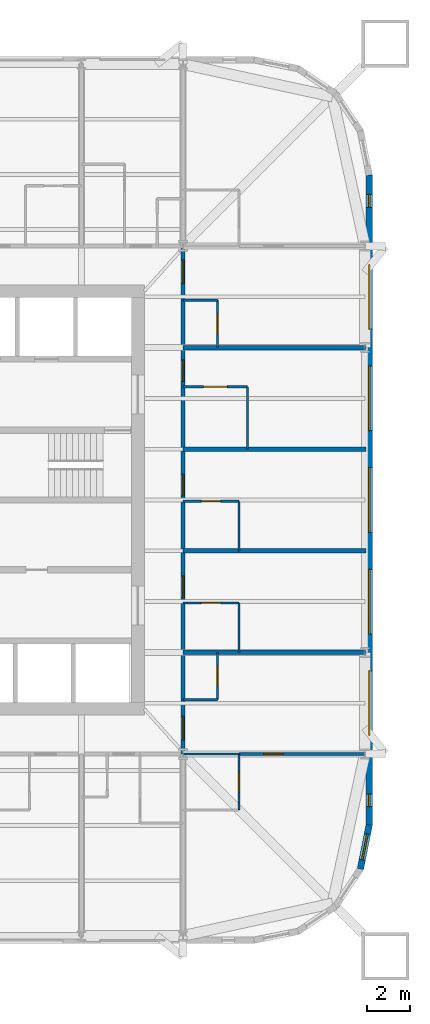
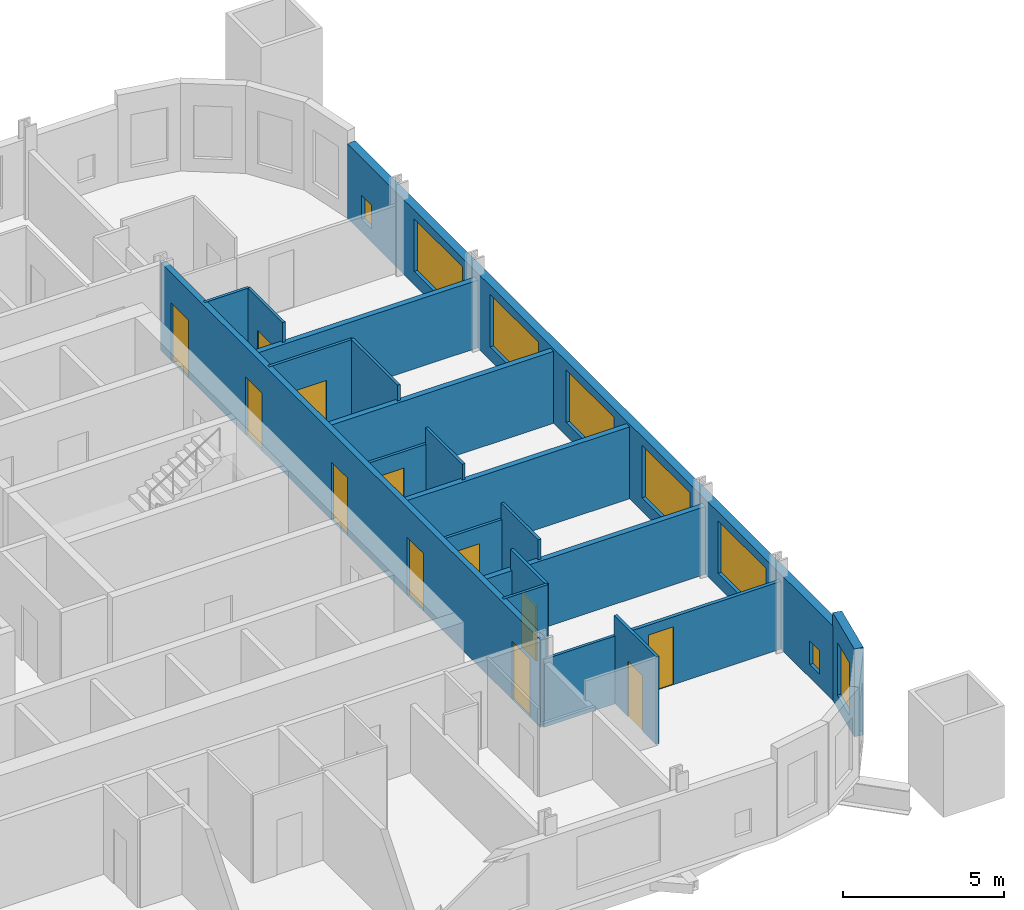
# One storey, part 6 of 9: 20 walls, 12 doors, 8 windows, 20 openings.
"""IFC4 building model written with IfcOpenShell, lengths in metres."""

from ifc_helpers import new_model, si_unit, direction, frame, frame_2d, origin, place, context, subcontext, project, spatial, rectangle, extrude, material, layer, layer_set, type_object, element, fill, save


model = new_model("IFC4")

# Units and contexts
model_context = context("Model", 3, precision=1e-05, world=origin(), true_north=direction((0.0, 1.0)))
body_context = subcontext(model_context, "Body", "Model", "MODEL_VIEW")
ifc_project = project(units=[si_unit("LENGTHUNIT", "METRE"), si_unit("AREAUNIT", "SQUARE_METRE"), si_unit("VOLUMEUNIT", "CUBIC_METRE"), si_unit("PLANEANGLEUNIT", "RADIAN"), si_unit("MASSUNIT", "GRAM", prefix="KILO")], contexts=[model_context])

# Site, building, storey
site_placement = place(None, origin())
site = spatial("IfcSite", under=ifc_project, at=site_placement, CompositionType="ELEMENT")
building_placement = place(site_placement, origin())
building = spatial("IfcBuilding", under=site, at=building_placement, Name="Turquesa Mirador Hotel Tower", CompositionType="ELEMENT")
storey_placement = place(building_placement, frame((0.0, 0.0, 142.39990234375)))
storey = spatial("IfcBuildingStorey", under=building, at=storey_placement, Name="L38", CompositionType="ELEMENT", Elevation=142.39990234375)

# Wall, opening, door
ifc_material_1 = material(Name="Gypsum board on steel studs", Category="steel")
ifc_layer_1 = layer(ifc_material_1, 0.10009765625)
ifc_layer_set_1 = layer_set([ifc_layer_1], Name="BATHROOM WALL 100")
wall_type_1 = type_object("IfcWallType", Name="BATHROOM WALL 100", PredefinedType="PARTITIONING", material=ifc_layer_set_1)
wall_1_placement = place(storey_placement, frame((66.800048828125, 44.93994140625, 0.0), z_axis=(0.0, 0.0, 1.0), x_axis=(1.0, 0.0, 0.0)))
wall_1 = element("IfcWall", 1, at=wall_1_placement, inside=storey, type_object=wall_type_1, Name="Partition L38 001", PredefinedType="PARTITIONING", context=body_context, shape_type="SweptSolid", body=[
    extrude(rectangle(XDim=2.599853515625, YDim=0.10009765625, at=frame_2d((1.2998046875, 0.0))), origin(), (0.0, 0.0, 1.0), 2.730712890625),
])
opening_1_placement = place(wall_1_placement, frame((0.85009765625, 0.0, 0.0)))
opening_1 = element("IfcOpeningElement", 2, at=opening_1_placement, cuts=wall_1, Name="Opening D02", PredefinedType="OPENING", context=body_context, shape_type="SweptSolid", body=[
    extrude(rectangle(XDim=0.89990234375, YDim=2.10009765625, at=frame_2d((0.449951171875, 1.050048828125))), frame((0.0, 0.06005859375, 0.0), z_axis=(0.0, -1.0, 0.0), x_axis=(1.0, 0.0, 0.0)), (0.0, 0.0, 1.0), 0.1201171875),
])
ifc_material_2 = material(Name="Timber veneered door", Category="wood")
door_type_1 = type_object("IfcDoorType", Name="DOOR 900X2100 EN-SUITE", OperationType="SINGLE_SWING_RIGHT", PredefinedType="DOOR", material=ifc_material_2)
door_1_placement = place(opening_1_placement, origin())
door_1 = element("IfcDoor", 3, at=door_1_placement, inside=storey, type_object=door_type_1, Name="Door 3809B", OperationType="SINGLE_SWING_RIGHT", OverallHeight=2.10009765625, OverallWidth=0.89990234375, PredefinedType="DOOR", context=body_context, shape_type="SweptSolid", body=[
    extrude(rectangle(XDim=0.89990234375, YDim=2.10009765625, at=frame_2d((0.449951171875, 1.050048828125))), frame((0.0, 0.02490234375, 0.0), z_axis=(0.0, -1.0, 0.0), x_axis=(1.0, 0.0, 0.0)), (0.0, 0.0, 1.0), 0.050048828125),
])
fill(opening_1, door_1)

# Wall
wall_2_placement = place(storey_placement, frame((66.800048828125, 33.199951171875, 0.0), z_axis=(0.0, 0.0, 1.0), x_axis=(1.0, 0.0, 0.0)))
element("IfcWall", 4, at=wall_2_placement, inside=storey, type_object=wall_type_1, Name="Partition L38 004", PredefinedType="PARTITIONING", context=body_context, shape_type="SweptSolid", body=[
    extrude(rectangle(XDim=2.599853515625, YDim=0.10009765625, at=frame_2d((1.2998046875, 0.0))), origin(), (0.0, 0.0, 1.0), 2.5732421875),
])

# Wall, opening, door
wall_3_placement = place(storey_placement, frame((66.800048828125, 40.219970703125, 0.0), z_axis=(0.0, 0.0, 1.0), x_axis=(1.0, 0.0, 0.0)))
wall_3 = element("IfcWall", 5, at=wall_3_placement, inside=storey, type_object=wall_type_1, Name="Partition L38 019", PredefinedType="PARTITIONING", context=body_context, shape_type="SweptSolid", body=[
    extrude(rectangle(XDim=2.599853515625, YDim=0.10009765625, at=frame_2d((1.2998046875, 0.0))), origin(), (0.0, 0.0, 1.0), 2.730712890625),
])
opening_2_placement = place(wall_3_placement, frame((0.85009765625, 0.0, 0.0)))
opening_2 = element("IfcOpeningElement", 6, at=opening_2_placement, cuts=wall_3, Name="Opening D02", PredefinedType="OPENING", context=body_context, shape_type="SweptSolid", body=[
    extrude(rectangle(XDim=0.89990234375, YDim=2.10009765625, at=frame_2d((0.449951171875, 1.050048828125))), frame((0.0, 0.06005859375, 0.0), z_axis=(0.0, -1.0, 0.0), x_axis=(1.0, 0.0, 0.0)), (0.0, 0.0, 1.0), 0.1201171875),
])
door_2_placement = place(opening_2_placement, origin())
door_2 = element("IfcDoor", 7, at=door_2_placement, inside=storey, type_object=door_type_1, Name="Door 3808B", OperationType="SINGLE_SWING_RIGHT", OverallHeight=2.10009765625, OverallWidth=0.89990234375, PredefinedType="DOOR", context=body_context, shape_type="SweptSolid", body=[
    extrude(rectangle(XDim=0.89990234375, YDim=2.10009765625, at=frame_2d((0.449951171875, 1.050048828125))), frame((0.0, 0.02490234375, 0.0), z_axis=(0.0, -1.0, 0.0), x_axis=(1.0, 0.0, 0.0)), (0.0, 0.0, 1.0), 0.050048828125),
])
fill(opening_2, door_2)

# Wall
wall_4_placement = place(storey_placement, frame((66.800048828125, 35.719970703125, 0.0), z_axis=(0.0, 0.0, 1.0), x_axis=(1.0, 0.0, 0.0)))
element("IfcWall", 8, at=wall_4_placement, inside=storey, type_object=wall_type_1, Name="Partition L38 024", PredefinedType="PARTITIONING", context=body_context, shape_type="SweptSolid", body=[
    extrude(rectangle(XDim=1.599853515625, YDim=0.10009765625, at=frame_2d((0.7998046875, 0.0))), origin(), (0.0, 0.0, 1.0), 3.330078125),
])

# Wall, opening, door
wall_5_placement = place(storey_placement, frame((66.800048828125, 50.260009765625, 0.0), z_axis=(0.0, 0.0, 1.0), x_axis=(1.0, 0.0, 0.0)))
wall_5 = element("IfcWall", 9, at=wall_5_placement, inside=storey, type_object=wall_type_1, Name="Partition L38 043", PredefinedType="PARTITIONING", context=body_context, shape_type="SweptSolid", body=[
    extrude(rectangle(XDim=3.0, YDim=0.10009765625, at=frame_2d((1.5, 0.0))), origin(), (0.0, 0.0, 1.0), 3.330078125),
])
opening_3_placement = place(wall_5_placement, frame((0.949951171875, 0.0, 0.0)))
opening_3 = element("IfcOpeningElement", 10, at=opening_3_placement, cuts=wall_5, Name="Opening D16", PredefinedType="OPENING", context=body_context, shape_type="SweptSolid", body=[
    extrude(rectangle(XDim=1.10009765625, YDim=2.10009765625, at=frame_2d((0.550048828125, 1.050048828125))), frame((0.0, 0.06005859375, 0.0), z_axis=(0.0, -1.0, 0.0), x_axis=(1.0, 0.0, 0.0)), (0.0, 0.0, 1.0), 0.1201171875),
])
ifc_material_3 = material(Name="Timber veneered sliding door", Category="wood")
door_type_2 = type_object("IfcDoorType", Name="DOOR 1100X2100 ACCESSIBLE EN-SUITE", OperationType="SLIDING_TO_LEFT", PredefinedType="DOOR", material=ifc_material_3)
door_3_placement = place(opening_3_placement, origin())
door_3 = element("IfcDoor", 11, at=door_3_placement, inside=storey, type_object=door_type_2, Name="Door 3810B", OperationType="SLIDING_TO_LEFT", OverallHeight=2.10009765625, OverallWidth=1.10009765625, PredefinedType="DOOR", context=body_context, shape_type="SweptSolid", body=[
    extrude(rectangle(XDim=1.10009765625, YDim=2.10009765625, at=frame_2d((0.550048828125, 1.050048828125))), frame((0.0, 0.02490234375, 0.0), z_axis=(0.0, -1.0, 0.0), x_axis=(1.0, 0.0, 0.0)), (0.0, 0.0, 1.0), 0.050048828125),
])
fill(opening_3, door_3)

# Wall
wall_6_placement = place(storey_placement, frame((66.800048828125, 54.280029296875, 0.0), z_axis=(0.0, 0.0, 1.0), x_axis=(1.0, 0.0, 0.0)))
element("IfcWall", 12, at=wall_6_placement, inside=storey, type_object=wall_type_1, Name="Partition L38 047", PredefinedType="PARTITIONING", context=body_context, shape_type="SweptSolid", body=[
    extrude(rectangle(XDim=1.599853515625, YDim=0.10009765625, at=frame_2d((0.7998046875, 0.0))), origin(), (0.0, 0.0, 1.0), 3.330078125),
])

# Wall, opening, door
wall_7_placement = place(storey_placement, frame((68.39990234375, 35.719970703125, 0.0), z_axis=(0.0, 0.0, 1.0), x_axis=(0.0, 1.0, 0.0)))
wall_7 = element("IfcWall", 13, at=wall_7_placement, inside=storey, type_object=wall_type_1, Name="Partition L38 072", PredefinedType="PARTITIONING", context=body_context, shape_type="SweptSolid", body=[
    extrude(rectangle(XDim=2.199951171875, YDim=0.10009765625, at=frame_2d((1.10009765625, 0.0))), origin(), (0.0, 0.0, 1.0), 3.330078125),
])
opening_4_placement = place(wall_7_placement, frame((0.64990234375, 0.0, 0.0)))
opening_4 = element("IfcOpeningElement", 14, at=opening_4_placement, cuts=wall_7, Name="Opening D06", PredefinedType="OPENING", context=body_context, shape_type="SweptSolid", body=[
    extrude(rectangle(XDim=0.89990234375, YDim=2.10009765625, at=frame_2d((0.449951171875, 1.050048828125))), frame((0.0, 0.06005859375, 0.0), z_axis=(0.0, -1.0, 0.0), x_axis=(1.0, 0.0, 0.0)), (0.0, 0.0, 1.0), 0.1201171875),
])
ifc_material_4 = material(Name="Laminate door", Category="wood")
door_type_3 = type_object("IfcDoorType", Name="DOOR 900X2100 WC", OperationType="SINGLE_SWING_LEFT", PredefinedType="DOOR", material=ifc_material_4)
door_4_placement = place(opening_4_placement, origin())
door_4 = element("IfcDoor", 15, at=door_4_placement, inside=storey, type_object=door_type_3, Name="Door 3817W", OperationType="SINGLE_SWING_LEFT", OverallHeight=2.10009765625, OverallWidth=0.89990234375, PredefinedType="DOOR", context=body_context, shape_type="SweptSolid", body=[
    extrude(rectangle(XDim=0.89990234375, YDim=2.10009765625, at=frame_2d((0.449951171875, 1.050048828125))), frame((0.0, 0.02490234375, 0.0), z_axis=(0.0, -1.0, 0.0), x_axis=(1.0, 0.0, 0.0)), (0.0, 0.0, 1.0), 0.050048828125),
])
fill(opening_4, door_4)

wall_8_placement = place(storey_placement, frame((68.39990234375, 52.080078125, 0.0), z_axis=(0.0, 0.0, 1.0), x_axis=(0.0, 1.0, 0.0)))
wall_8 = element("IfcWall", 16, at=wall_8_placement, inside=storey, type_object=wall_type_1, Name="Partition L38 073", PredefinedType="PARTITIONING", context=body_context, shape_type="SweptSolid", body=[
    extrude(rectangle(XDim=2.199951171875, YDim=0.10009765625, at=frame_2d((1.10009765625, 0.0))), origin(), (0.0, 0.0, 1.0), 3.330078125),
])
opening_5_placement = place(wall_8_placement, frame((0.64990234375, 0.0, 0.0)))
opening_5 = element("IfcOpeningElement", 17, at=opening_5_placement, cuts=wall_8, Name="Opening D06", PredefinedType="OPENING", context=body_context, shape_type="SweptSolid", body=[
    extrude(rectangle(XDim=0.89990234375, YDim=2.10009765625, at=frame_2d((0.449951171875, 1.050048828125))), frame((0.0, 0.06005859375, 0.0), z_axis=(0.0, -1.0, 0.0), x_axis=(1.0, 0.0, 0.0)), (0.0, 0.0, 1.0), 0.1201171875),
])
door_5_placement = place(opening_5_placement, origin())
door_5 = element("IfcDoor", 18, at=door_5_placement, inside=storey, type_object=door_type_3, Name="Door 3814W", OperationType="SINGLE_SWING_LEFT", OverallHeight=2.10009765625, OverallWidth=0.89990234375, PredefinedType="DOOR", context=body_context, shape_type="SweptSolid", body=[
    extrude(rectangle(XDim=0.89990234375, YDim=2.10009765625, at=frame_2d((0.449951171875, 1.050048828125))), frame((0.0, 0.02490234375, 0.0), z_axis=(0.0, -1.0, 0.0), x_axis=(1.0, 0.0, 0.0)), (0.0, 0.0, 1.0), 0.050048828125),
])
fill(opening_5, door_5)

wall_9_placement = place(storey_placement, frame((69.39990234375, 30.60009765625, 0.0), z_axis=(0.0, 0.0, 1.0), x_axis=(0.0, 1.0, 0.0)))
wall_9 = element("IfcWall", 19, at=wall_9_placement, inside=storey, type_object=wall_type_1, Name="Partition L38 074", PredefinedType="PARTITIONING", context=body_context, shape_type="SweptSolid", body=[
    extrude(rectangle(XDim=2.599853515625, YDim=0.10009765625, at=frame_2d((1.2998046875, 0.0))), origin(), (0.0, 0.0, 1.0), 3.330078125),
])
opening_6_placement = place(wall_9_placement, frame((0.85009765625, 0.0, 0.0)))
opening_6 = element("IfcOpeningElement", 20, at=opening_6_placement, cuts=wall_9, Name="Opening D02", PredefinedType="OPENING", context=body_context, shape_type="SweptSolid", body=[
    extrude(rectangle(XDim=0.89990234375, YDim=2.10009765625, at=frame_2d((0.449951171875, 1.050048828125))), frame((0.0, 0.06005859375, 0.0), z_axis=(0.0, -1.0, 0.0), x_axis=(1.0, 0.0, 0.0)), (0.0, 0.0, 1.0), 0.1201171875),
])
door_6_placement = place(opening_6_placement, origin())
door_6 = element("IfcDoor", 21, at=door_6_placement, inside=storey, type_object=door_type_1, Name="Door 3817B", OperationType="SINGLE_SWING_RIGHT", OverallHeight=2.10009765625, OverallWidth=0.89990234375, PredefinedType="DOOR", context=body_context, shape_type="SweptSolid", body=[
    extrude(rectangle(XDim=0.89990234375, YDim=2.10009765625, at=frame_2d((0.449951171875, 1.050048828125))), frame((0.0, 0.02490234375, 0.0), z_axis=(0.0, -1.0, 0.0), x_axis=(1.0, 0.0, 0.0)), (0.0, 0.0, 1.0), 0.050048828125),
])
fill(opening_6, door_6)

# Walls
for number, where, z_axis, x_axis, name in (
    (22, (69.39990234375, 37.919921875, 0.0), (0.0, 0.0, 1.0), (0.0, 1.0, 0.0), "Partition L38 075"),
    (23, (69.39990234375, 42.639892578125, 0.0), (0.0, 0.0, 1.0), (0.0, 1.0, 0.0), "Partition L38 076"),
):
    element("IfcWall", number, at=place(storey_placement, frame(where, z_axis=z_axis, x_axis=x_axis)), inside=storey, type_object=wall_type_1, Name=name, PredefinedType="PARTITIONING", context=body_context, shape_type="SweptSolid", body=[
        extrude(rectangle(XDim=2.300048828125, YDim=0.10009765625, at=frame_2d((1.14990234375, 0.0))), origin(), (0.0, 0.0, 1.0), 3.330078125),
    ])
wall_10_placement = place(storey_placement, frame((69.800048828125, 47.360107421875, 0.0), z_axis=(0.0, 0.0, 1.0), x_axis=(0.0, 1.0, 0.0)))
element("IfcWall", 24, at=wall_10_placement, inside=storey, type_object=wall_type_1, Name="Partition L38 078", PredefinedType="PARTITIONING", context=body_context, shape_type="SweptSolid", body=[
    extrude(rectangle(XDim=2.89990234375, YDim=0.10009765625, at=frame_2d((1.449951171875, 0.0))), origin(), (0.0, 0.0, 1.0), 3.330078125),
])

# Wall, openings, doors
ifc_material_5 = material(Name="Fire-rated gypsum board on steel studs", Category="steel")
ifc_layer_2 = layer(ifc_material_5, 0.199951171875)
ifc_layer_set_2 = layer_set([ifc_layer_2], Name="CORRIDOR WALL 200")
wall_type_2 = type_object("IfcWallType", Name="CORRIDOR WALL 200", PredefinedType="PARTITIONING", material=ifc_layer_set_2)
wall_11_placement = place(storey_placement, frame((66.800048828125, 33.199951171875, 0.0), z_axis=(0.0, 0.0, 1.0), x_axis=(0.0, 1.0, 0.0)))
wall_11 = element("IfcWall", 25, at=wall_11_placement, inside=storey, type_object=wall_type_2, Name="Partition L38 069", PredefinedType="PARTITIONING", context=body_context, shape_type="SweptSolid", body=[
    extrude(rectangle(XDim=23.60009765625, YDim=0.199951171875, at=frame_2d((11.800048828125, 0.0))), origin(), (0.0, 0.0, 1.0), 3.330078125),
])
opening_7_placement = place(wall_11_placement, frame((7.27001953125, 0.0, 0.0)))
opening_7 = element("IfcOpeningElement", 26, at=opening_7_placement, cuts=wall_11, Name="Opening D01", PredefinedType="OPENING", context=body_context, shape_type="SweptSolid", body=[
    extrude(rectangle(XDim=1.0, YDim=2.199951171875, at=frame_2d((0.5, 1.10009765625))), frame((0.0, 0.10986328125, 0.0), z_axis=(0.0, -1.0, 0.0), x_axis=(1.0, 0.0, 0.0)), (0.0, 0.0, 1.0), 0.219970703125),
])
opening_8_placement = place(wall_11_placement, frame((11.989990234375, 0.0, 0.0)))
opening_8 = element("IfcOpeningElement", 27, at=opening_8_placement, cuts=wall_11, Name="Opening D01", PredefinedType="OPENING", context=body_context, shape_type="SweptSolid", body=[
    extrude(rectangle(XDim=1.0, YDim=2.199951171875, at=frame_2d((0.5, 1.10009765625))), frame((0.0, 0.10986328125, 0.0), z_axis=(0.0, -1.0, 0.0), x_axis=(1.0, 0.0, 0.0)), (0.0, 0.0, 1.0), 0.219970703125),
])
opening_9_placement = place(wall_11_placement, frame((17.31005859375, 0.0, 0.0)))
opening_9 = element("IfcOpeningElement", 28, at=opening_9_placement, cuts=wall_11, Name="Opening D01", PredefinedType="OPENING", context=body_context, shape_type="SweptSolid", body=[
    extrude(rectangle(XDim=1.0, YDim=2.199951171875, at=frame_2d((0.5, 1.10009765625))), frame((0.0, 0.10986328125, 0.0), z_axis=(0.0, -1.0, 0.0), x_axis=(1.0, 0.0, 0.0)), (0.0, 0.0, 1.0), 0.219970703125),
])
opening_10_placement = place(wall_11_placement, frame((21.85009765625, 0.0, 0.0)))
opening_10 = element("IfcOpeningElement", 29, at=opening_10_placement, cuts=wall_11, Name="Opening D15", PredefinedType="OPENING", context=body_context, shape_type="SweptSolid", body=[
    extrude(rectangle(XDim=1.10009765625, YDim=2.199951171875, at=frame_2d((0.550048828125, 1.10009765625))), frame((0.0, 0.10986328125, 0.0), z_axis=(0.0, -1.0, 0.0), x_axis=(1.0, 0.0, 0.0)), (0.0, 0.0, 1.0), 0.219970703125),
])
opening_11_placement = place(wall_11_placement, frame((0.64990234375, 0.0, 0.0)))
opening_11 = element("IfcOpeningElement", 30, at=opening_11_placement, cuts=wall_11, Name="Opening D15", PredefinedType="OPENING", context=body_context, shape_type="SweptSolid", body=[
    extrude(rectangle(XDim=1.10009765625, YDim=2.199951171875, at=frame_2d((0.550048828125, 1.10009765625))), frame((0.0, 0.10986328125, 0.0), z_axis=(0.0, -1.0, 0.0), x_axis=(1.0, 0.0, 0.0)), (0.0, 0.0, 1.0), 0.219970703125),
])
ifc_material_6 = material(Name="Timber veneered fire door", Category="wood")
door_type_4 = type_object("IfcDoorType", Name="DOOR 1000X2200 GUEST ENTRY", OperationType="SINGLE_SWING_LEFT", PredefinedType="DOOR", material=ifc_material_6)
door_7_placement = place(opening_7_placement, origin())
door_7 = element("IfcDoor", 31, at=door_7_placement, inside=storey, type_object=door_type_4, Name="Door 3808", OperationType="SINGLE_SWING_LEFT", OverallHeight=2.199951171875, OverallWidth=1.0, PredefinedType="DOOR", context=body_context, shape_type="SweptSolid", body=[
    extrude(rectangle(XDim=1.0, YDim=2.199951171875, at=frame_2d((0.5, 1.10009765625))), frame((0.0, 0.02490234375, 0.0), z_axis=(0.0, -1.0, 0.0), x_axis=(1.0, 0.0, 0.0)), (0.0, 0.0, 1.0), 0.050048828125),
])
fill(opening_7, door_7)
door_8_placement = place(opening_8_placement, origin())
door_8 = element("IfcDoor", 32, at=door_8_placement, inside=storey, type_object=door_type_4, Name="Door 3809", OperationType="SINGLE_SWING_LEFT", OverallHeight=2.199951171875, OverallWidth=1.0, PredefinedType="DOOR", context=body_context, shape_type="SweptSolid", body=[
    extrude(rectangle(XDim=1.0, YDim=2.199951171875, at=frame_2d((0.5, 1.10009765625))), frame((0.0, 0.02490234375, 0.0), z_axis=(0.0, -1.0, 0.0), x_axis=(1.0, 0.0, 0.0)), (0.0, 0.0, 1.0), 0.050048828125),
])
fill(opening_8, door_8)
door_9_placement = place(opening_9_placement, origin())
door_9 = element("IfcDoor", 33, at=door_9_placement, inside=storey, type_object=door_type_4, Name="Door 3810", OperationType="SINGLE_SWING_LEFT", OverallHeight=2.199951171875, OverallWidth=1.0, PredefinedType="DOOR", context=body_context, shape_type="SweptSolid", body=[
    extrude(rectangle(XDim=1.0, YDim=2.199951171875, at=frame_2d((0.5, 1.10009765625))), frame((0.0, 0.02490234375, 0.0), z_axis=(0.0, -1.0, 0.0), x_axis=(1.0, 0.0, 0.0)), (0.0, 0.0, 1.0), 0.050048828125),
])
fill(opening_9, door_9)
ifc_material_7 = material(Name="Timber veneered fire door", Category="wood")
door_type_5 = type_object("IfcDoorType", Name="DOOR 1100X2200 SUITE ENTRY", OperationType="SINGLE_SWING_LEFT", PredefinedType="DOOR", material=ifc_material_7)
door_10_placement = place(opening_10_placement, origin())
door_10 = element("IfcDoor", 34, at=door_10_placement, inside=storey, type_object=door_type_5, Name="Door 3814", OperationType="SINGLE_SWING_LEFT", OverallHeight=2.199951171875, OverallWidth=1.10009765625, PredefinedType="DOOR", context=body_context, shape_type="SweptSolid", body=[
    extrude(rectangle(XDim=1.10009765625, YDim=2.199951171875, at=frame_2d((0.550048828125, 1.10009765625))), frame((0.0, 0.02490234375, 0.0), z_axis=(0.0, -1.0, 0.0), x_axis=(1.0, 0.0, 0.0)), (0.0, 0.0, 1.0), 0.050048828125),
])
fill(opening_10, door_10)
door_11_placement = place(opening_11_placement, origin())
door_11 = element("IfcDoor", 35, at=door_11_placement, inside=storey, type_object=door_type_5, Name="Door 3817", OperationType="SINGLE_SWING_LEFT", OverallHeight=2.199951171875, OverallWidth=1.10009765625, PredefinedType="DOOR", context=body_context, shape_type="SweptSolid", body=[
    extrude(rectangle(XDim=1.10009765625, YDim=2.199951171875, at=frame_2d((0.550048828125, 1.10009765625))), frame((0.0, 0.02490234375, 0.0), z_axis=(0.0, -1.0, 0.0), x_axis=(1.0, 0.0, 0.0)), (0.0, 0.0, 1.0), 0.050048828125),
])
fill(opening_11, door_11)

# Wall, opening, window
ifc_material_8 = material(Name="Limestone cladding on concrete block", Category="masonry")
ifc_layer_3 = layer(ifc_material_8, 0.300048828125)
ifc_layer_set_3 = layer_set([ifc_layer_3], Name="FACADE WALL 300 STONE SCREEN")
wall_type_3 = type_object("IfcWallType", Name="FACADE WALL 300 STONE SCREEN", PredefinedType="SOLIDWALL", material=ifc_layer_set_3)
wall_12_placement = place(storey_placement, frame((75.042724609375, 27.8525390625, 0.0), z_axis=(0.0, 0.0, 1.0), x_axis=(0.195081421501, 0.980787050784, 0.0)))
wall_12 = element("IfcWall", 36, at=wall_12_placement, inside=storey, type_object=wall_type_3, Name="Facade wall L38 03", PredefinedType="SOLIDWALL", context=body_context, shape_type="SweptSolid", body=[
    extrude(rectangle(XDim=2.08740234375, YDim=0.300048828125, at=frame_2d((1.043701171875, 0.0))), origin(), (0.0, 0.0, 1.0), 3.330078125),
])
opening_12_placement = place(wall_12_placement, frame((0.443603515625, 0.0, 0.5)))
opening_12 = element("IfcOpeningElement", 37, at=opening_12_placement, cuts=wall_12, Name="Opening WN4", PredefinedType="OPENING", context=body_context, shape_type="SweptSolid", body=[
    extrude(rectangle(XDim=1.199951171875, YDim=2.0, at=frame_2d((0.60009765625, 1.0))), frame((0.0, 0.159912109375, 0.0), z_axis=(0.0, -1.0, 0.0), x_axis=(1.0, 0.0, 0.0)), (0.0, 0.0, 1.0), 0.320068359375),
])
ifc_material_9 = material(Name="Ceramic-fritted laminated glass", Category="glass")
window_type_1 = type_object("IfcWindowType", Name="FRITTED CORNER WINDOW 1200X2000", PartitioningType="DOUBLE_PANEL_HORIZONTAL", PredefinedType="WINDOW", material=ifc_material_9)
window_1_placement = place(opening_12_placement, origin())
window_1 = element("IfcWindow", 38, at=window_1_placement, inside=storey, type_object=window_type_1, Name="Window L38", OverallHeight=2.0, OverallWidth=1.199951171875, PartitioningType="SINGLE_PANEL", PredefinedType="WINDOW", context=body_context, shape_type="SweptSolid", body=[
    extrude(rectangle(XDim=1.199951171875, YDim=2.0, at=frame_2d((0.60009765625, 1.0))), frame((0.0, 0.030029296875, 0.0), z_axis=(0.0, -1.0, 0.0), x_axis=(1.0, 0.0, 0.0)), (0.0, 0.0, 1.0), 0.06005859375),
])
fill(opening_12, window_1)

# Wall, openings, windows
wall_13_placement = place(storey_placement, frame((75.449951171875, 29.89990234375, 0.0), z_axis=(0.0, 0.0, 1.0), x_axis=(0.0, 1.0, 0.0)))
wall_13 = element("IfcWall", 39, at=wall_13_placement, inside=storey, type_object=wall_type_3, Name="Facade wall L38 04", PredefinedType="SOLIDWALL", context=body_context, shape_type="SweptSolid", body=[
    extrude(rectangle(XDim=30.2001953125, YDim=0.300048828125, at=frame_2d((15.10009765625, 0.0))), origin(), (0.0, 0.0, 1.0), 2.830078125),
])
opening_13_placement = place(wall_13_placement, frame((0.85009765625, 0.0, 0.5)))
opening_13 = element("IfcOpeningElement", 40, at=opening_13_placement, cuts=wall_13, Name="Opening WN25", PredefinedType="OPENING", context=body_context, shape_type="SweptSolid", body=[
    extrude(rectangle(XDim=0.60009765625, YDim=0.89990234375, at=frame_2d((0.300048828125, 0.449951171875))), frame((0.0, 0.159912109375, 0.0), z_axis=(0.0, -1.0, 0.0), x_axis=(1.0, 0.0, 0.0)), (0.0, 0.0, 1.0), 0.320068359375),
])
opening_14_placement = place(wall_13_placement, frame((4.159912109375, 0.0, 0.5)))
opening_14 = element("IfcOpeningElement", 41, at=opening_14_placement, cuts=wall_13, Name="Opening WN1", PredefinedType="OPENING", context=body_context, shape_type="SweptSolid", body=[
    extrude(rectangle(XDim=3.0, YDim=2.0, at=frame_2d((1.5, 1.0))), frame((0.0, 0.159912109375, 0.0), z_axis=(0.0, -1.0, 0.0), x_axis=(1.0, 0.0, 0.0)), (0.0, 0.0, 1.0), 0.320068359375),
])
opening_15_placement = place(wall_13_placement, frame((8.8798828125, 0.0, 0.5)))
opening_15 = element("IfcOpeningElement", 42, at=opening_15_placement, cuts=wall_13, Name="Opening WN1", PredefinedType="OPENING", context=body_context, shape_type="SweptSolid", body=[
    extrude(rectangle(XDim=3.0, YDim=2.0, at=frame_2d((1.5, 1.0))), frame((0.0, 0.159912109375, 0.0), z_axis=(0.0, -1.0, 0.0), x_axis=(1.0, 0.0, 0.0)), (0.0, 0.0, 1.0), 0.320068359375),
])
opening_16_placement = place(wall_13_placement, frame((13.60009765625, 0.0, 0.5)))
opening_16 = element("IfcOpeningElement", 43, at=opening_16_placement, cuts=wall_13, Name="Opening WN1", PredefinedType="OPENING", context=body_context, shape_type="SweptSolid", body=[
    extrude(rectangle(XDim=3.0, YDim=2.0, at=frame_2d((1.5, 1.0))), frame((0.0, 0.159912109375, 0.0), z_axis=(0.0, -1.0, 0.0), x_axis=(1.0, 0.0, 0.0)), (0.0, 0.0, 1.0), 0.320068359375),
])
opening_17_placement = place(wall_13_placement, frame((18.320068359375, 0.0, 0.5)))
opening_17 = element("IfcOpeningElement", 44, at=opening_17_placement, cuts=wall_13, Name="Opening WN1", PredefinedType="OPENING", context=body_context, shape_type="SweptSolid", body=[
    extrude(rectangle(XDim=3.0, YDim=2.0, at=frame_2d((1.5, 1.0))), frame((0.0, 0.159912109375, 0.0), z_axis=(0.0, -1.0, 0.0), x_axis=(1.0, 0.0, 0.0)), (0.0, 0.0, 1.0), 0.320068359375),
])
opening_18_placement = place(wall_13_placement, frame((23.0400390625, 0.0, 0.5)))
opening_18 = element("IfcOpeningElement", 45, at=opening_18_placement, cuts=wall_13, Name="Opening WN1", PredefinedType="OPENING", context=body_context, shape_type="SweptSolid", body=[
    extrude(rectangle(XDim=3.0, YDim=2.0, at=frame_2d((1.5, 1.0))), frame((0.0, 0.159912109375, 0.0), z_axis=(0.0, -1.0, 0.0), x_axis=(1.0, 0.0, 0.0)), (0.0, 0.0, 1.0), 0.320068359375),
])
opening_19_placement = place(wall_13_placement, frame((28.699951171875, 0.0, 0.5)))
opening_19 = element("IfcOpeningElement", 46, at=opening_19_placement, cuts=wall_13, Name="Opening WN25", PredefinedType="OPENING", context=body_context, shape_type="SweptSolid", body=[
    extrude(rectangle(XDim=0.60009765625, YDim=0.89990234375, at=frame_2d((0.300048828125, 0.449951171875))), frame((0.0, 0.159912109375, 0.0), z_axis=(0.0, -1.0, 0.0), x_axis=(1.0, 0.0, 0.0)), (0.0, 0.0, 1.0), 0.320068359375),
])
ifc_material_10 = material(Name="Ceramic-fritted laminated glass", Category="glass")
window_type_2 = type_object("IfcWindowType", Name="FRITTED WINDOW 3000X2000", PartitioningType="DOUBLE_PANEL_HORIZONTAL", PredefinedType="WINDOW", material=ifc_material_10)
window_2_placement = place(opening_14_placement, origin())
window_2 = element("IfcWindow", 47, at=window_2_placement, inside=storey, type_object=window_type_2, Name="Window L38", OverallHeight=2.0, OverallWidth=3.0, PartitioningType="SINGLE_PANEL", PredefinedType="WINDOW", context=body_context, shape_type="SweptSolid", body=[
    extrude(rectangle(XDim=3.0, YDim=2.0, at=frame_2d((1.5, 1.0))), frame((0.0, 0.030029296875, 0.0), z_axis=(0.0, -1.0, 0.0), x_axis=(1.0, 0.0, 0.0)), (0.0, 0.0, 1.0), 0.06005859375),
])
fill(opening_14, window_2)
window_3_placement = place(opening_15_placement, origin())
window_3 = element("IfcWindow", 48, at=window_3_placement, inside=storey, type_object=window_type_2, Name="Window L38", OverallHeight=2.0, OverallWidth=3.0, PartitioningType="SINGLE_PANEL", PredefinedType="WINDOW", context=body_context, shape_type="SweptSolid", body=[
    extrude(rectangle(XDim=3.0, YDim=2.0, at=frame_2d((1.5, 1.0))), frame((0.0, 0.030029296875, 0.0), z_axis=(0.0, -1.0, 0.0), x_axis=(1.0, 0.0, 0.0)), (0.0, 0.0, 1.0), 0.06005859375),
])
fill(opening_15, window_3)
window_4_placement = place(opening_16_placement, origin())
window_4 = element("IfcWindow", 49, at=window_4_placement, inside=storey, type_object=window_type_2, Name="Window L38", OverallHeight=2.0, OverallWidth=3.0, PartitioningType="SINGLE_PANEL", PredefinedType="WINDOW", context=body_context, shape_type="SweptSolid", body=[
    extrude(rectangle(XDim=3.0, YDim=2.0, at=frame_2d((1.5, 1.0))), frame((0.0, 0.030029296875, 0.0), z_axis=(0.0, -1.0, 0.0), x_axis=(1.0, 0.0, 0.0)), (0.0, 0.0, 1.0), 0.06005859375),
])
fill(opening_16, window_4)
window_5_placement = place(opening_17_placement, origin())
window_5 = element("IfcWindow", 50, at=window_5_placement, inside=storey, type_object=window_type_2, Name="Window L38", OverallHeight=2.0, OverallWidth=3.0, PartitioningType="SINGLE_PANEL", PredefinedType="WINDOW", context=body_context, shape_type="SweptSolid", body=[
    extrude(rectangle(XDim=3.0, YDim=2.0, at=frame_2d((1.5, 1.0))), frame((0.0, 0.030029296875, 0.0), z_axis=(0.0, -1.0, 0.0), x_axis=(1.0, 0.0, 0.0)), (0.0, 0.0, 1.0), 0.06005859375),
])
fill(opening_17, window_5)
window_6_placement = place(opening_18_placement, origin())
window_6 = element("IfcWindow", 51, at=window_6_placement, inside=storey, type_object=window_type_2, Name="Window L38", OverallHeight=2.0, OverallWidth=3.0, PartitioningType="SINGLE_PANEL", PredefinedType="WINDOW", context=body_context, shape_type="SweptSolid", body=[
    extrude(rectangle(XDim=3.0, YDim=2.0, at=frame_2d((1.5, 1.0))), frame((0.0, 0.030029296875, 0.0), z_axis=(0.0, -1.0, 0.0), x_axis=(1.0, 0.0, 0.0)), (0.0, 0.0, 1.0), 0.06005859375),
])
fill(opening_18, window_6)
ifc_material_11 = material(Name="Ceramic-fritted laminated glass", Category="glass")
window_type_3 = type_object("IfcWindowType", Name="FRITTED WINDOW 600X900", PartitioningType="DOUBLE_PANEL_HORIZONTAL", PredefinedType="WINDOW", material=ifc_material_11)
window_7_placement = place(opening_13_placement, origin())
window_7 = element("IfcWindow", 52, at=window_7_placement, inside=storey, type_object=window_type_3, Name="Window L38", OverallHeight=0.89990234375, OverallWidth=0.60009765625, PartitioningType="SINGLE_PANEL", PredefinedType="WINDOW", context=body_context, shape_type="SweptSolid", body=[
    extrude(rectangle(XDim=0.60009765625, YDim=0.89990234375, at=frame_2d((0.300048828125, 0.449951171875))), frame((0.0, 0.030029296875, 0.0), z_axis=(0.0, -1.0, 0.0), x_axis=(1.0, 0.0, 0.0)), (0.0, 0.0, 1.0), 0.06005859375),
])
fill(opening_13, window_7)
window_8_placement = place(opening_19_placement, origin())
window_8 = element("IfcWindow", 53, at=window_8_placement, inside=storey, type_object=window_type_3, Name="Window L38", OverallHeight=0.89990234375, OverallWidth=0.60009765625, PartitioningType="SINGLE_PANEL", PredefinedType="WINDOW", context=body_context, shape_type="SweptSolid", body=[
    extrude(rectangle(XDim=0.60009765625, YDim=0.89990234375, at=frame_2d((0.300048828125, 0.449951171875))), frame((0.0, 0.030029296875, 0.0), z_axis=(0.0, -1.0, 0.0), x_axis=(1.0, 0.0, 0.0)), (0.0, 0.0, 1.0), 0.06005859375),
])
fill(opening_19, window_8)

# Walls
ifc_material_12 = material(Name="Fire-rated gypsum board on steel studs", Category="steel")
ifc_layer_4 = layer(ifc_material_12, 0.199951171875)
ifc_layer_set_4 = layer_set([ifc_layer_4], Name="PARTY WALL 200")
wall_type_4 = type_object("IfcWallType", Name="PARTY WALL 200", PredefinedType="PARTITIONING", material=ifc_layer_set_4)
wall_14_placement = place(storey_placement, frame((66.800048828125, 42.639892578125, 0.0), z_axis=(0.0, 0.0, 1.0), x_axis=(1.0, 0.0, 0.0)))
element("IfcWall", 54, at=wall_14_placement, inside=storey, type_object=wall_type_4, Name="Partition L38 017", PredefinedType="PARTITIONING", context=body_context, shape_type="SweptSolid", body=[
    extrude(rectangle(XDim=8.5, YDim=0.199951171875, at=frame_2d((4.25, 0.0))), origin(), (0.0, 0.0, 1.0), 2.730712890625),
])
wall_15_placement = place(storey_placement, frame((66.800048828125, 37.919921875, 0.0), z_axis=(0.0, 0.0, 1.0), x_axis=(1.0, 0.0, 0.0)))
element("IfcWall", 55, at=wall_15_placement, inside=storey, type_object=wall_type_4, Name="Partition L38 022", PredefinedType="PARTITIONING", context=body_context, shape_type="SweptSolid", body=[
    extrude(rectangle(XDim=8.5, YDim=0.199951171875, at=frame_2d((4.25, 0.0))), origin(), (0.0, 0.0, 1.0), 2.5732421875),
])
wall_16_placement = place(storey_placement, frame((66.800048828125, 47.360107421875, 0.0), z_axis=(0.0, 0.0, 1.0), x_axis=(1.0, 0.0, 0.0)))
element("IfcWall", 56, at=wall_16_placement, inside=storey, type_object=wall_type_4, Name="Partition L38 040", PredefinedType="PARTITIONING", context=body_context, shape_type="SweptSolid", body=[
    extrude(rectangle(XDim=8.5, YDim=0.199951171875, at=frame_2d((4.25, 0.0))), origin(), (0.0, 0.0, 1.0), 2.730712890625),
])
wall_17_placement = place(storey_placement, frame((66.800048828125, 52.080078125, 0.0), z_axis=(0.0, 0.0, 1.0), x_axis=(1.0, 0.0, 0.0)))
element("IfcWall", 57, at=wall_17_placement, inside=storey, type_object=wall_type_4, Name="Partition L38 045", PredefinedType="PARTITIONING", context=body_context, shape_type="SweptSolid", body=[
    extrude(rectangle(XDim=8.5, YDim=0.199951171875, at=frame_2d((4.25, 0.0))), origin(), (0.0, 0.0, 1.0), 2.5732421875),
])

# Wall, opening, door
ifc_material_13 = material(Name="Acoustic gypsum board on steel studs", Category="steel")
ifc_layer_5 = layer(ifc_material_13, 0.125)
ifc_layer_set_5 = layer_set([ifc_layer_5], Name="SUITE PARTITION 125")
wall_type_5 = type_object("IfcWallType", Name="SUITE PARTITION 125", PredefinedType="PARTITIONING", material=ifc_layer_set_5)
wall_18_placement = place(storey_placement, frame((69.39990234375, 33.199951171875, 0.0), z_axis=(0.0, 0.0, 1.0), x_axis=(1.0, 0.0, 0.0)))
wall_18 = element("IfcWall", 58, at=wall_18_placement, inside=storey, type_object=wall_type_5, Name="Partition L38 007", PredefinedType="PARTITIONING", context=body_context, shape_type="SweptSolid", body=[
    extrude(rectangle(XDim=5.900146484375, YDim=0.125, at=frame_2d((2.9501953125, 0.0))), origin(), (0.0, 0.0, 1.0), 2.5732421875),
])
opening_20_placement = place(wall_18_placement, frame((1.14990234375, 0.0, 0.0)))
opening_20 = element("IfcOpeningElement", 59, at=opening_20_placement, cuts=wall_18, Name="Opening D17", PredefinedType="OPENING", context=body_context, shape_type="SweptSolid", body=[
    extrude(rectangle(XDim=0.89990234375, YDim=2.199951171875, at=frame_2d((0.449951171875, 1.10009765625))), frame((0.0, 0.072509765625, 0.0), z_axis=(0.0, -1.0, 0.0), x_axis=(1.0, 0.0, 0.0)), (0.0, 0.0, 1.0), 0.14501953125),
])
ifc_material_14 = material(Name="Timber veneered door", Category="wood")
door_type_6 = type_object("IfcDoorType", Name="DOOR 900X2200 SUITE INTERNAL", OperationType="SINGLE_SWING_LEFT", PredefinedType="DOOR", material=ifc_material_14)
door_12_placement = place(opening_20_placement, origin())
door_12 = element("IfcDoor", 60, at=door_12_placement, inside=storey, type_object=door_type_6, Name="Door 3817R", OperationType="SINGLE_SWING_LEFT", OverallHeight=2.199951171875, OverallWidth=0.89990234375, PredefinedType="DOOR", context=body_context, shape_type="SweptSolid", body=[
    extrude(rectangle(XDim=0.89990234375, YDim=2.199951171875, at=frame_2d((0.449951171875, 1.10009765625))), frame((0.0, 0.02490234375, 0.0), z_axis=(0.0, -1.0, 0.0), x_axis=(1.0, 0.0, 0.0)), (0.0, 0.0, 1.0), 0.050048828125),
])
fill(opening_20, door_12)

save(model, "model.ifc")
